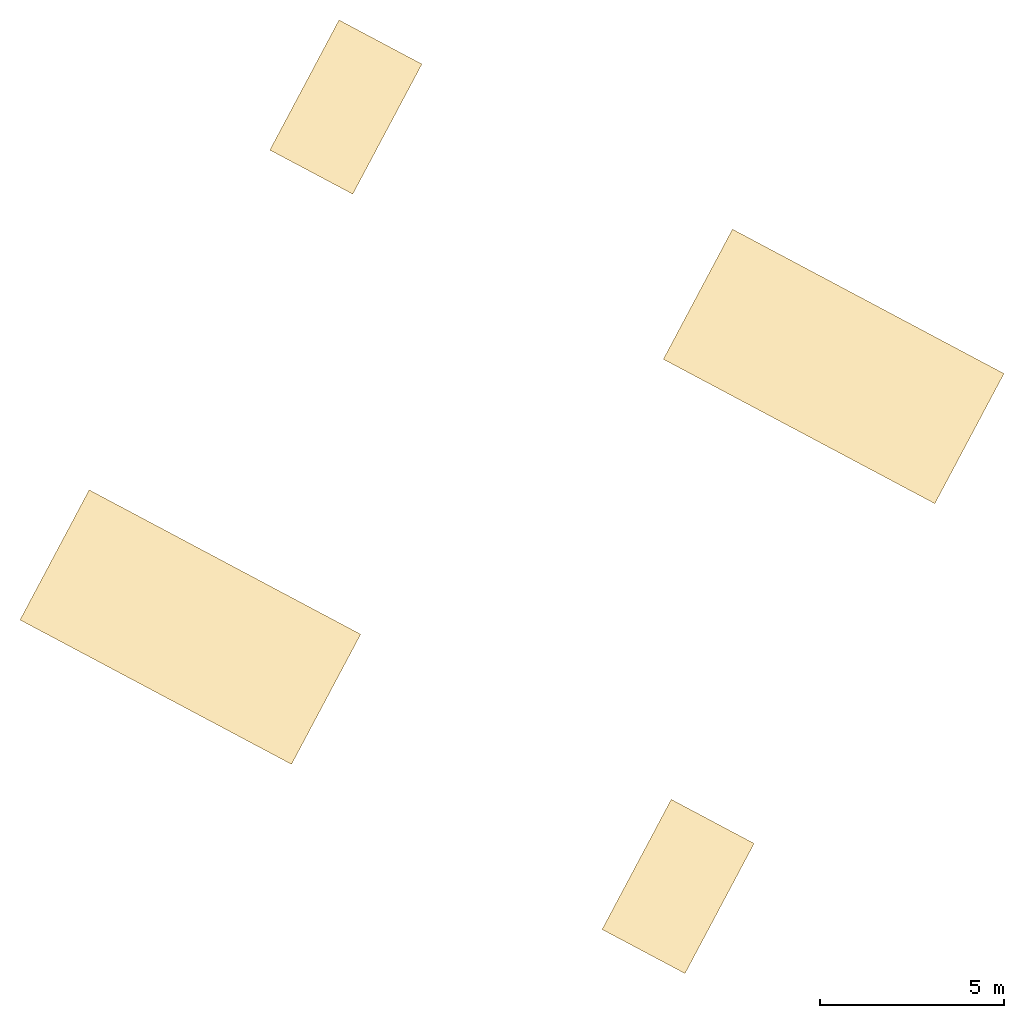
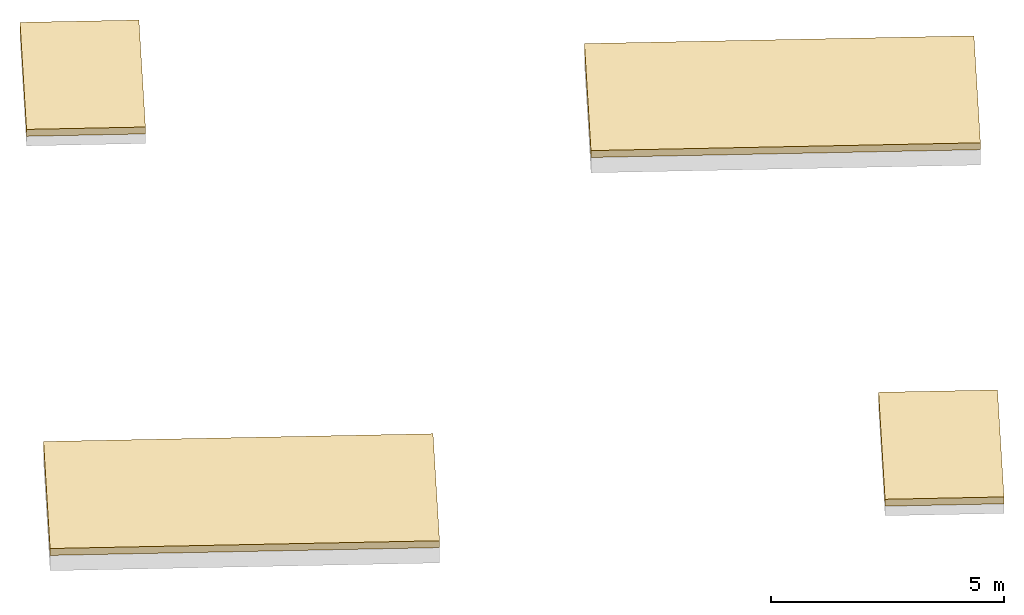
# One storey, part 2 of 2: 4 coverings.
"""IFC4 building model written with IfcOpenShell, lengths in metres."""

from ifc_helpers import new_model, si_unit, direction, frame, origin, place, context, subcontext, project, spatial, polyline, outline, extrude, material, layer, layer_set, type_object, element, save


model = new_model("IFC4")

# Units and contexts
model_context = context("Model", 3, precision=1e-05, world=origin(), true_north=direction((0.0, 1.0)))
body_context = subcontext(model_context, "Body", "Model", "MODEL_VIEW")
ifc_project = project(units=[si_unit("LENGTHUNIT", "METRE"), si_unit("AREAUNIT", "SQUARE_METRE"), si_unit("VOLUMEUNIT", "CUBIC_METRE"), si_unit("PLANEANGLEUNIT", "RADIAN"), si_unit("MASSUNIT", "GRAM", prefix="KILO")], contexts=[model_context])

# Site, building, storey
site_placement = place(None, origin())
site = spatial("IfcSite", under=ifc_project, at=site_placement, CompositionType="ELEMENT")
building_placement = place(site_placement, origin())
building = spatial("IfcBuilding", under=site, at=building_placement, Name="Cormorant Relay Tower", CompositionType="ELEMENT")
storey_placement = place(building_placement, frame((0.0, 0.0, 360.800048828125)))
storey = spatial("IfcBuildingStorey", under=building, at=storey_placement, Name="ROOF", CompositionType="ELEMENT", Elevation=360.800048828125)

# Coverings
ifc_material = material(Name="Bituminous waterproof membrane on mineral wool insulation")
ifc_layer = layer(ifc_material, 0.179931640625)
ifc_layer_set = layer_set([ifc_layer], Name="Roof membrane and insulation 180")
covering_type = type_object("IfcCoveringType", Name="Roof membrane and insulation 180", PredefinedType="ROOFING", material=ifc_layer_set)
covering_1_placement = place(storey_placement, frame((0.0, 0.0, 1.25)))
element("IfcCovering", 1, at=covering_1_placement, inside=storey, type_object=covering_type, Name="Roof membrane", PredefinedType="ROOFING", context=body_context, shape_type="SweptSolid", body=[
    extrude(outline(polyline([(-23.047607421875, 6.3369140625), (-20.796142578125, 5.139892578125), (-22.674072265625, 1.608154296875), (-24.925537109375, 2.80517578125), (-23.047607421875, 6.3369140625)])), origin(), (0.0, 0.0, 1.0), 0.179931640625),
])
covering_2_placement = place(storey_placement, frame((0.0, 0.0, 1.25)))
element("IfcCovering", 2, at=covering_2_placement, inside=storey, type_object=covering_type, Name="Roof membrane", PredefinedType="ROOFING", context=body_context, shape_type="SweptSolid", body=[
    extrude(outline(polyline([(-32.068603515625, 27.499267578125), (-29.817138671875, 26.302001953125), (-31.695068359375, 22.770263671875), (-33.946533203125, 23.96728515625), (-32.068603515625, 27.499267578125)])), origin(), (0.0, 0.0, 1.0), 0.179931640625),
])
covering_3_placement = place(storey_placement, frame((0.0, 0.0, 0.39990234375)))
element("IfcCovering", 3, at=covering_3_placement, inside=storey, type_object=covering_type, Name="Roof membrane", PredefinedType="ROOFING", context=body_context, shape_type="SweptSolid", body=[
    extrude(outline(polyline([(-15.89013671875, 14.36669921875), (-14.01220703125, 17.8984375), (-21.385009765625, 21.818603515625), (-23.262939453125, 18.28662109375), (-15.89013671875, 14.36669921875)])), origin(), (0.0, 0.0, 1.0), 0.179931640625),
])
covering_4_placement = place(storey_placement, frame((0.0, 0.0, 0.39990234375)))
element("IfcCovering", 4, at=covering_4_placement, inside=storey, type_object=covering_type, Name="Roof membrane", PredefinedType="ROOFING", context=body_context, shape_type="SweptSolid", body=[
    extrude(outline(polyline([(-33.35791015625, 7.28857421875), (-31.479736328125, 10.820556640625), (-38.8525390625, 14.740478515625), (-40.73046875, 11.208740234375), (-33.35791015625, 7.28857421875)])), origin(), (0.0, 0.0, 1.0), 0.179931640625),
])

save(model, "model.ifc")
